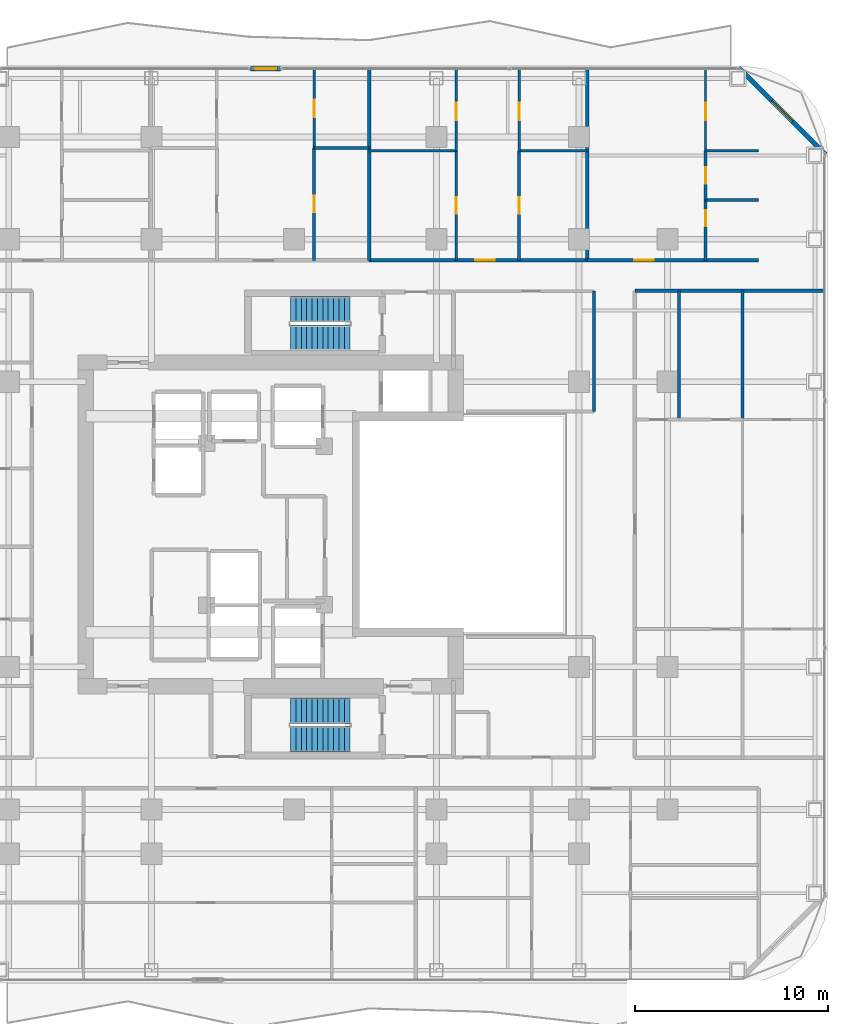
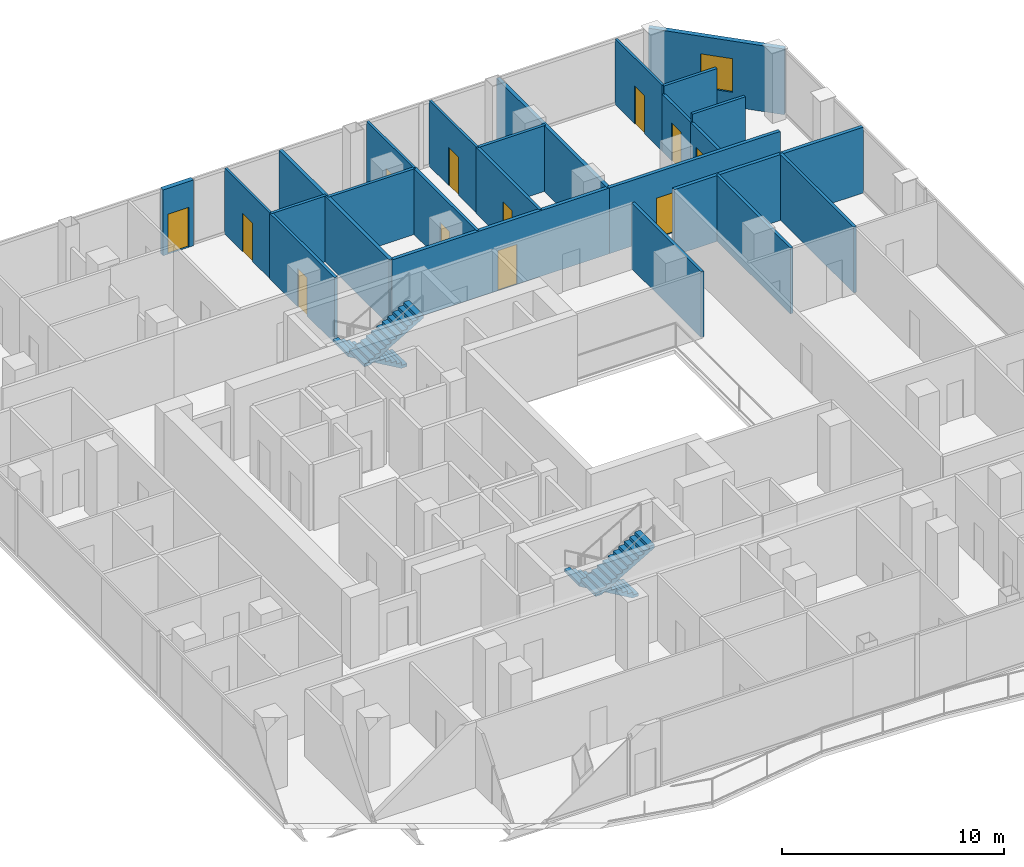
# One storey, part 24 of 27: 24 walls, 12 doors, 4 stair flights, 1 window, 13 openings, 2 elements without a shape of their own.
"""IFC4 building model written with IfcOpenShell, lengths in metres."""

from ifc_helpers import new_model, si_unit, direction, frame, frame_2d, origin, place, context, subcontext, project, spatial, polyline, rectangle, outline, extrude, material, layer, layer_set, type_object, element, fill, aggregate, save


model = new_model("IFC4")

# Units and contexts
model_context = context("Model", 3, precision=1e-05, world=origin(), true_north=direction((0.0, 1.0)))
body_context = subcontext(model_context, "Body", "Model", "MODEL_VIEW")
ifc_project = project(units=[si_unit("LENGTHUNIT", "METRE"), si_unit("AREAUNIT", "SQUARE_METRE"), si_unit("VOLUMEUNIT", "CUBIC_METRE"), si_unit("PLANEANGLEUNIT", "RADIAN"), si_unit("MASSUNIT", "GRAM", prefix="KILO")], contexts=[model_context])

# Site, building, storey
site_placement = place(None, origin())
site = spatial("IfcSite", under=ifc_project, at=site_placement, CompositionType="ELEMENT")
building_placement = place(site_placement, origin())
building = spatial("IfcBuilding", under=site, at=building_placement, Name="Khorvyn Point Tower", CompositionType="ELEMENT")
storey_placement = place(building_placement, frame((0.0, 0.0, 164.10009765625)))
storey = spatial("IfcBuildingStorey", under=building, at=storey_placement, Name="L40", CompositionType="ELEMENT", Elevation=164.10009765625)

# Wall, opening, door
ifc_material_1 = material(Name="Double acoustic gypsum on twin steel stud", Category="steel")
ifc_layer_1 = layer(ifc_material_1, 0.179931640625)
ifc_layer_set_1 = layer_set([ifc_layer_1], Name="Acoustic Double-Stud Apartment Demising Wall 180")
wall_type_1 = type_object("IfcWallType", Name="Acoustic Double-Stud Apartment Demising Wall 180", PredefinedType="PARTITIONING", material=ifc_layer_set_1)
wall_1_placement = place(storey_placement, frame((3.89990234375, 13.699951171875, 0.0), z_axis=(0.0, 0.0, 1.0), x_axis=(1.0, 0.0, 0.0)))
wall_1 = element("IfcWall", 1, at=wall_1_placement, inside=storey, type_object=wall_type_1, Name="Wall", PredefinedType="PARTITIONING", context=body_context, shape_type="SweptSolid", body=[
    extrude(rectangle(XDim=11.322998046875, YDim=0.179931640625, at=frame_2d((5.66162109375, 0.0))), origin(), (0.0, 0.0, 1.0), 3.619873046875),
])
opening_1_placement = place(wall_1_placement, frame((5.518798828125, 0.0, 0.0)))
opening_1 = element("IfcOpeningElement", 2, at=opening_1_placement, cuts=wall_1, Name="Opening ID-AP60", PredefinedType="OPENING", context=body_context, shape_type="SweptSolid", body=[
    extrude(rectangle(XDim=1.0, YDim=2.199951171875, at=frame_2d((0.5, 1.10009765625))), frame((0.0, 0.099853515625, 0.0), z_axis=(0.0, -1.0, 0.0), x_axis=(1.0, 0.0, 0.0)), (0.0, 0.0, 1.0), 0.199951171875),
])
ifc_material_2 = material(Name="Engineered hardwood fire-rated leaf", Category="wood")
door_type_1 = type_object("IfcDoorType", Name="Acoustic Solid-Core Timber Apartment Entrance Door 1000x2200", OperationType="NOTDEFINED", PredefinedType="DOOR", material=ifc_material_2)
door_1_placement = place(opening_1_placement, origin())
door_1 = element("IfcDoor", 3, at=door_1_placement, inside=storey, type_object=door_type_1, Name="Door", OperationType="SINGLE_SWING_RIGHT", OverallHeight=2.199951171875, OverallWidth=1.0, PredefinedType="DOOR", context=body_context, shape_type="SweptSolid", body=[
    extrude(rectangle(XDim=1.0, YDim=2.199951171875, at=frame_2d((0.5, 1.10009765625))), frame((0.0, 0.02490234375, 0.0), z_axis=(0.0, -1.0, 0.0), x_axis=(1.0, 0.0, 0.0)), (0.0, 0.0, 1.0), 0.050048828125),
])
fill(opening_1, door_1)

wall_2_placement = place(storey_placement, frame((15.222900390625, 13.699951171875, 0.0), z_axis=(0.0, 0.0, 1.0), x_axis=(1.0, 0.0, 0.0)))
wall_2 = element("IfcWall", 4, at=wall_2_placement, inside=storey, type_object=wall_type_1, Name="Wall", PredefinedType="PARTITIONING", context=body_context, shape_type="SweptSolid", body=[
    extrude(rectangle(XDim=8.897216796875, YDim=0.179931640625, at=frame_2d((4.44873046875, 0.0))), origin(), (0.0, 0.0, 1.0), 3.619873046875),
])
opening_2_placement = place(wall_2_placement, frame((2.45068359375, 0.0, 0.0)))
opening_2 = element("IfcOpeningElement", 5, at=opening_2_placement, cuts=wall_2, Name="Opening ID-AP60", PredefinedType="OPENING", context=body_context, shape_type="SweptSolid", body=[
    extrude(rectangle(XDim=1.0, YDim=2.199951171875, at=frame_2d((0.5, 1.10009765625))), frame((0.0, 0.099853515625, 0.0), z_axis=(0.0, -1.0, 0.0), x_axis=(1.0, 0.0, 0.0)), (0.0, 0.0, 1.0), 0.199951171875),
])
door_2_placement = place(opening_2_placement, origin())
door_2 = element("IfcDoor", 6, at=door_2_placement, inside=storey, type_object=door_type_1, Name="Door", OperationType="SINGLE_SWING_LEFT", OverallHeight=2.199951171875, OverallWidth=1.0, PredefinedType="DOOR", context=body_context, shape_type="SweptSolid", body=[
    extrude(rectangle(XDim=1.0, YDim=2.199951171875, at=frame_2d((0.5, 1.10009765625))), frame((0.0, 0.02490234375, 0.0), z_axis=(0.0, -1.0, 0.0), x_axis=(1.0, 0.0, 0.0)), (0.0, 0.0, 1.0), 0.050048828125),
])
fill(opening_2, door_2)

# Walls
for number, where, z_axis, x_axis, name in (
    (7, (3.89990234375, 13.699951171875, 0.0), (0.0, 0.0, 1.0), (0.0, 1.0, 0.0), "Wall"),
    (8, (15.222900390625, 13.699951171875, 0.0), (0.0, 0.0, 1.0), (0.0, 1.0, 0.0), "Wall"),
):
    element("IfcWall", number, at=place(storey_placement, frame(where, z_axis=z_axis, x_axis=x_axis)), inside=storey, type_object=wall_type_1, Name=name, PredefinedType="PARTITIONING", context=body_context, shape_type="SweptSolid", body=[
        extrude(rectangle(XDim=9.929931640625, YDim=0.179931640625, at=frame_2d((4.96484375, 0.0))), origin(), (0.0, 0.0, 1.0), 3.619873046875),
    ])
wall_3_placement = place(storey_placement, frame((17.699951171875, 12.1201171875, 0.0), z_axis=(0.0, 0.0, 1.0), x_axis=(1.0, 0.0, 0.0)))
element("IfcWall", 9, at=wall_3_placement, inside=storey, type_object=wall_type_1, Name="Wall", PredefinedType="PARTITIONING", context=body_context, shape_type="SweptSolid", body=[
    extrude(rectangle(XDim=9.830078125, YDim=0.179931640625, at=frame_2d((4.9150390625, 0.0))), origin(), (0.0, 0.0, 1.0), 3.619873046875),
])

# Wall, opening, door
ifc_material_3 = material(Name="Pale anodised aluminium rainscreen on steel stud", Category="steel")
ifc_layer_2 = layer(ifc_material_3, 0.239990234375)
ifc_layer_set_2 = layer_set([ifc_layer_2], Name="Anodised Aluminium Insulated Corner Spandrel Wall 240")
wall_type_2 = type_object("IfcWallType", Name="Anodised Aluminium Insulated Corner Spandrel Wall 240", PredefinedType="SOLIDWALL", material=ifc_layer_set_2)
wall_4_placement = place(storey_placement, frame((-2.26611328125, 23.64990234375, 0.0), z_axis=(0.0, 0.0, 1.0), x_axis=(1.0, 0.0, 0.0)))
wall_4 = element("IfcWall", 10, at=wall_4_placement, inside=storey, type_object=wall_type_2, Name="L40 North Outdoor Threshold Wall", PredefinedType="SOLIDWALL", context=body_context, shape_type="SweptSolid", body=[
    extrude(rectangle(XDim=1.580078125, YDim=0.239990234375, at=frame_2d((0.7900390625, 0.0))), origin(), (0.0, 0.0, 1.0), 3.619873046875),
])
opening_3_placement = place(wall_4_placement, frame((0.239990234375, 0.0, 0.0)))
opening_3 = element("IfcOpeningElement", 11, at=opening_3_placement, cuts=wall_4, Name="Opening BD-1122", PredefinedType="OPENING", context=body_context, shape_type="SweptSolid", body=[
    extrude(rectangle(XDim=1.10009765625, YDim=2.199951171875, at=frame_2d((0.550048828125, 1.10009765625))), frame((0.0, 0.1298828125, 0.0), z_axis=(0.0, -1.0, 0.0), x_axis=(1.0, 0.0, 0.0)), (0.0, 0.0, 1.0), 0.260009765625),
])
ifc_material_4 = material(Name="Anodised aluminium 6063-T6 and laminated Low-E glass", Category="aluminium")
door_type_2 = type_object("IfcDoorType", Name="Glazed Balcony and Terrace Threshold Door 1100x2200", OperationType="NOTDEFINED", PredefinedType="DOOR", material=ifc_material_4)
door_3_placement = place(opening_3_placement, origin())
door_3 = element("IfcDoor", 12, at=door_3_placement, inside=storey, type_object=door_type_2, Name="L40 North Glazed Balcony Outdoor Door", OperationType="SINGLE_SWING_LEFT", OverallHeight=2.199951171875, OverallWidth=1.10009765625, PredefinedType="DOOR", context=body_context, shape_type="SweptSolid", body=[
    extrude(rectangle(XDim=1.10009765625, YDim=2.199951171875, at=frame_2d((0.550048828125, 1.10009765625))), frame((0.0, 0.02490234375, 0.0), z_axis=(0.0, -1.0, 0.0), x_axis=(1.0, 0.0, 0.0)), (0.0, 0.0, 1.0), 0.050048828125),
])
fill(opening_3, door_3)

# Wall, opening, window
wall_5_placement = place(storey_placement, frame((23.107666015625, 23.6923828125, 0.0), z_axis=(0.0, 0.0, 1.0), x_axis=(0.707087534163, -0.707126027686, 0.0)))
wall_5 = element("IfcWall", 13, at=wall_5_placement, inside=storey, type_object=wall_type_2, Name="L40 Rounded Corner Wall NE", PredefinedType="SOLIDWALL", context=body_context, shape_type="SweptSolid", body=[
    extrude(rectangle(XDim=6.34228515625, YDim=0.239990234375, at=frame_2d((3.171142578125, 0.0))), origin(), (0.0, 0.0, 1.0), 3.619873046875),
])
opening_4_placement = place(wall_5_placement, frame((2.42138671875, 0.0, 0.800048828125)))
opening_4 = element("IfcOpeningElement", 14, at=opening_4_placement, cuts=wall_5, Name="Opening WN-1518", PredefinedType="OPENING", context=body_context, shape_type="SweptSolid", body=[
    extrude(rectangle(XDim=1.5, YDim=1.85009765625, at=frame_2d((0.75, 0.925048828125))), frame((0.0, 0.1298828125, 0.0), z_axis=(0.0, -1.0, 0.0), x_axis=(1.0, 0.0, 0.0)), (0.0, 0.0, 1.0), 0.260009765625),
])
window_type = type_object("IfcWindowType", Name="Anodised Aluminium Rounded-Corner Panoramic Window 1500x1850", PartitioningType="SINGLE_PANEL", PredefinedType="WINDOW", material=ifc_material_4)
window_placement = place(opening_4_placement, origin())
window = element("IfcWindow", 15, at=window_placement, inside=storey, type_object=window_type, Name="L40 Corner Panoramic Window NE", OverallHeight=1.85009765625, OverallWidth=1.5, PartitioningType="SINGLE_PANEL", PredefinedType="WINDOW", context=body_context, shape_type="SweptSolid", body=[
    extrude(rectangle(XDim=1.5, YDim=1.85009765625, at=frame_2d((0.75, 0.925048828125))), frame((0.0, 0.030029296875, 0.0), z_axis=(0.0, -1.0, 0.0), x_axis=(1.0, 0.0, 0.0)), (0.0, 0.0, 1.0), 0.06005859375),
])
fill(opening_4, window)

# Wall, opening, door
ifc_material_5 = material(Name="Gypsum plasterboard on steel stud", Category="steel")
ifc_layer_3 = layer(ifc_material_5, 0.1201171875)
ifc_layer_set_3 = layer_set([ifc_layer_3], Name="Gypsum Acoustic Stud Room Partition Wall 120")
wall_type_3 = type_object("IfcWallType", Name="Gypsum Acoustic Stud Room Partition Wall 120", PredefinedType="PARTITIONING", material=ifc_layer_set_3)
wall_6_placement = place(storey_placement, frame((1.050048828125, 19.544921875, 0.0), z_axis=(0.0, 0.0, 1.0), x_axis=(0.0, 1.0, 0.0)))
wall_6 = element("IfcWall", 16, at=wall_6_placement, inside=storey, type_object=wall_type_3, Name="Wall", PredefinedType="PARTITIONING", context=body_context, shape_type="SweptSolid", body=[
    extrude(rectangle(XDim=4.0849609375, YDim=0.1201171875, at=frame_2d((2.04248046875, 0.0))), origin(), (0.0, 0.0, 1.0), 3.619873046875),
])
opening_5_placement = place(wall_6_placement, frame((1.592529296875, 0.0, 0.0)))
opening_5 = element("IfcOpeningElement", 17, at=opening_5_placement, cuts=wall_6, Name="Opening ID-RM90", PredefinedType="OPENING", context=body_context, shape_type="SweptSolid", body=[
    extrude(rectangle(XDim=0.89990234375, YDim=2.10009765625, at=frame_2d((0.449951171875, 1.050048828125))), frame((0.0, 0.070068359375, 0.0), z_axis=(0.0, -1.0, 0.0), x_axis=(1.0, 0.0, 0.0)), (0.0, 0.0, 1.0), 0.14013671875),
])
ifc_material_6 = material(Name="Engineered oak veneer timber", Category="wood")
door_type_3 = type_object("IfcDoorType", Name="Flush Engineered Timber Room Door 900x2100", OperationType="NOTDEFINED", PredefinedType="DOOR", material=ifc_material_6)
door_4_placement = place(opening_5_placement, origin())
door_4 = element("IfcDoor", 18, at=door_4_placement, inside=storey, type_object=door_type_3, Name="Door", OperationType="SINGLE_SWING_LEFT", OverallHeight=2.10009765625, OverallWidth=0.89990234375, PredefinedType="DOOR", context=body_context, shape_type="SweptSolid", body=[
    extrude(rectangle(XDim=0.89990234375, YDim=2.10009765625, at=frame_2d((0.449951171875, 1.050048828125))), frame((0.0, 0.02490234375, 0.0), z_axis=(0.0, -1.0, 0.0), x_axis=(1.0, 0.0, 0.0)), (0.0, 0.0, 1.0), 0.050048828125),
])
fill(opening_5, door_4)

wall_7_placement = place(storey_placement, frame((8.428955078125, 19.389892578125, 0.0), z_axis=(0.0, 0.0, 1.0), x_axis=(0.0, 1.0, 0.0)))
wall_7 = element("IfcWall", 19, at=wall_7_placement, inside=storey, type_object=wall_type_3, Name="Wall", PredefinedType="PARTITIONING", context=body_context, shape_type="SweptSolid", body=[
    extrude(rectangle(XDim=4.239990234375, YDim=0.1201171875, at=frame_2d((2.1201171875, 0.0))), origin(), (0.0, 0.0, 1.0), 3.619873046875),
])
opening_6_placement = place(wall_7_placement, frame((1.581298828125, 0.0, 0.0)))
opening_6 = element("IfcOpeningElement", 20, at=opening_6_placement, cuts=wall_7, Name="Opening ID-RM90", PredefinedType="OPENING", context=body_context, shape_type="SweptSolid", body=[
    extrude(rectangle(XDim=0.89990234375, YDim=2.10009765625, at=frame_2d((0.449951171875, 1.050048828125))), frame((0.0, 0.070068359375, 0.0), z_axis=(0.0, -1.0, 0.0), x_axis=(1.0, 0.0, 0.0)), (0.0, 0.0, 1.0), 0.14013671875),
])
door_5_placement = place(opening_6_placement, origin())
door_5 = element("IfcDoor", 21, at=door_5_placement, inside=storey, type_object=door_type_3, Name="Door", OperationType="SINGLE_SWING_RIGHT", OverallHeight=2.10009765625, OverallWidth=0.89990234375, PredefinedType="DOOR", context=body_context, shape_type="SweptSolid", body=[
    extrude(rectangle(XDim=0.89990234375, YDim=2.10009765625, at=frame_2d((0.449951171875, 1.050048828125))), frame((0.0, 0.02490234375, 0.0), z_axis=(0.0, -1.0, 0.0), x_axis=(1.0, 0.0, 0.0)), (0.0, 0.0, 1.0), 0.050048828125),
])
fill(opening_6, door_5)

wall_8_placement = place(storey_placement, frame((11.68994140625, 19.389892578125, 0.0), z_axis=(0.0, 0.0, 1.0), x_axis=(0.0, 1.0, 0.0)))
wall_8 = element("IfcWall", 22, at=wall_8_placement, inside=storey, type_object=wall_type_3, Name="Wall", PredefinedType="PARTITIONING", context=body_context, shape_type="SweptSolid", body=[
    extrude(rectangle(XDim=4.239990234375, YDim=0.1201171875, at=frame_2d((2.1201171875, 0.0))), origin(), (0.0, 0.0, 1.0), 3.619873046875),
])
opening_7_placement = place(wall_8_placement, frame((1.581298828125, 0.0, 0.0)))
opening_7 = element("IfcOpeningElement", 23, at=opening_7_placement, cuts=wall_8, Name="Opening ID-RM90", PredefinedType="OPENING", context=body_context, shape_type="SweptSolid", body=[
    extrude(rectangle(XDim=0.89990234375, YDim=2.10009765625, at=frame_2d((0.449951171875, 1.050048828125))), frame((0.0, 0.070068359375, 0.0), z_axis=(0.0, -1.0, 0.0), x_axis=(1.0, 0.0, 0.0)), (0.0, 0.0, 1.0), 0.14013671875),
])
door_6_placement = place(opening_7_placement, origin())
door_6 = element("IfcDoor", 24, at=door_6_placement, inside=storey, type_object=door_type_3, Name="Door", OperationType="SINGLE_SWING_RIGHT", OverallHeight=2.10009765625, OverallWidth=0.89990234375, PredefinedType="DOOR", context=body_context, shape_type="SweptSolid", body=[
    extrude(rectangle(XDim=0.89990234375, YDim=2.10009765625, at=frame_2d((0.449951171875, 1.050048828125))), frame((0.0, 0.02490234375, 0.0), z_axis=(0.0, -1.0, 0.0), x_axis=(1.0, 0.0, 0.0)), (0.0, 0.0, 1.0), 0.050048828125),
])
fill(opening_7, door_6)

wall_9_placement = place(storey_placement, frame((21.3701171875, 19.389892578125, 0.0), z_axis=(0.0, 0.0, 1.0), x_axis=(0.0, 1.0, 0.0)))
wall_9 = element("IfcWall", 25, at=wall_9_placement, inside=storey, type_object=wall_type_3, Name="Wall", PredefinedType="PARTITIONING", context=body_context, shape_type="SweptSolid", body=[
    extrude(rectangle(XDim=4.239990234375, YDim=0.1201171875, at=frame_2d((2.1201171875, 0.0))), origin(), (0.0, 0.0, 1.0), 3.619873046875),
])
opening_8_placement = place(wall_9_placement, frame((1.581298828125, 0.0, 0.0)))
opening_8 = element("IfcOpeningElement", 26, at=opening_8_placement, cuts=wall_9, Name="Opening ID-RM90", PredefinedType="OPENING", context=body_context, shape_type="SweptSolid", body=[
    extrude(rectangle(XDim=0.89990234375, YDim=2.10009765625, at=frame_2d((0.449951171875, 1.050048828125))), frame((0.0, 0.070068359375, 0.0), z_axis=(0.0, -1.0, 0.0), x_axis=(1.0, 0.0, 0.0)), (0.0, 0.0, 1.0), 0.14013671875),
])
door_7_placement = place(opening_8_placement, origin())
door_7 = element("IfcDoor", 27, at=door_7_placement, inside=storey, type_object=door_type_3, Name="Door", OperationType="SINGLE_SWING_RIGHT", OverallHeight=2.10009765625, OverallWidth=0.89990234375, PredefinedType="DOOR", context=body_context, shape_type="SweptSolid", body=[
    extrude(rectangle(XDim=0.89990234375, YDim=2.10009765625, at=frame_2d((0.449951171875, 1.050048828125))), frame((0.0, 0.02490234375, 0.0), z_axis=(0.0, -1.0, 0.0), x_axis=(1.0, 0.0, 0.0)), (0.0, 0.0, 1.0), 0.050048828125),
])
fill(opening_8, door_7)

ifc_material_7 = material(Name="Moisture-resistant gypsum and cement board", Category="gypsum")
ifc_layer_4 = layer(ifc_material_7, 0.14990234375)
ifc_layer_set_4 = layer_set([ifc_layer_4], Name="Moisture-Resistant Wet-Room Partition Wall 150")
wall_type_4 = type_object("IfcWallType", Name="Moisture-Resistant Wet-Room Partition Wall 150", PredefinedType="PARTITIONING", material=ifc_layer_set_4)
wall_10_placement = place(storey_placement, frame((1.050048828125, 13.699951171875, 0.0), z_axis=(0.0, 0.0, 1.0), x_axis=(0.0, 1.0, 0.0)))
wall_10 = element("IfcWall", 28, at=wall_10_placement, inside=storey, type_object=wall_type_4, Name="Wall", PredefinedType="PARTITIONING", context=body_context, shape_type="SweptSolid", body=[
    extrude(rectangle(XDim=5.844970703125, YDim=0.14990234375, at=frame_2d((2.92236328125, 0.0))), origin(), (0.0, 0.0, 1.0), 3.619873046875),
])
opening_9_placement = place(wall_10_placement, frame((2.49755859375, 0.0, 0.0)))
opening_9 = element("IfcOpeningElement", 29, at=opening_9_placement, cuts=wall_10, Name="Opening ID-WC85", PredefinedType="OPENING", context=body_context, shape_type="SweptSolid", body=[
    extrude(rectangle(XDim=0.85009765625, YDim=2.10009765625, at=frame_2d((0.425048828125, 1.050048828125))), frame((0.0, 0.0849609375, 0.0), z_axis=(0.0, -1.0, 0.0), x_axis=(1.0, 0.0, 0.0)), (0.0, 0.0, 1.0), 0.169921875),
])
ifc_material_8 = material(Name="High-pressure laminate on moisture-resistant core", Category="wood")
door_type_4 = type_object("IfcDoorType", Name="Moisture-Resistant Accessible Washroom Door 850x2100", OperationType="NOTDEFINED", PredefinedType="DOOR", material=ifc_material_8)
door_8_placement = place(opening_9_placement, origin())
door_8 = element("IfcDoor", 30, at=door_8_placement, inside=storey, type_object=door_type_4, Name="Door", OperationType="SINGLE_SWING_RIGHT", OverallHeight=2.10009765625, OverallWidth=0.85009765625, PredefinedType="DOOR", context=body_context, shape_type="SweptSolid", body=[
    extrude(rectangle(XDim=0.85009765625, YDim=2.10009765625, at=frame_2d((0.425048828125, 1.050048828125))), frame((0.0, 0.02490234375, 0.0), z_axis=(0.0, -1.0, 0.0), x_axis=(1.0, 0.0, 0.0)), (0.0, 0.0, 1.0), 0.050048828125),
])
fill(opening_9, door_8)

wall_11_placement = place(storey_placement, frame((8.428955078125, 13.699951171875, 0.0), z_axis=(0.0, 0.0, 1.0), x_axis=(0.0, 1.0, 0.0)))
wall_11 = element("IfcWall", 31, at=wall_11_placement, inside=storey, type_object=wall_type_4, Name="Wall", PredefinedType="PARTITIONING", context=body_context, shape_type="SweptSolid", body=[
    extrude(rectangle(XDim=5.68994140625, YDim=0.14990234375, at=frame_2d((2.844970703125, 0.0))), origin(), (0.0, 0.0, 1.0), 3.619873046875),
])
opening_10_placement = place(wall_11_placement, frame((2.419921875, 0.0, 0.0)))
opening_10 = element("IfcOpeningElement", 32, at=opening_10_placement, cuts=wall_11, Name="Opening ID-WC85", PredefinedType="OPENING", context=body_context, shape_type="SweptSolid", body=[
    extrude(rectangle(XDim=0.85009765625, YDim=2.10009765625, at=frame_2d((0.425048828125, 1.050048828125))), frame((0.0, 0.0849609375, 0.0), z_axis=(0.0, -1.0, 0.0), x_axis=(1.0, 0.0, 0.0)), (0.0, 0.0, 1.0), 0.169921875),
])
door_9_placement = place(opening_10_placement, origin())
door_9 = element("IfcDoor", 33, at=door_9_placement, inside=storey, type_object=door_type_4, Name="Door", OperationType="SINGLE_SWING_LEFT", OverallHeight=2.10009765625, OverallWidth=0.85009765625, PredefinedType="DOOR", context=body_context, shape_type="SweptSolid", body=[
    extrude(rectangle(XDim=0.85009765625, YDim=2.10009765625, at=frame_2d((0.425048828125, 1.050048828125))), frame((0.0, 0.02490234375, 0.0), z_axis=(0.0, -1.0, 0.0), x_axis=(1.0, 0.0, 0.0)), (0.0, 0.0, 1.0), 0.050048828125),
])
fill(opening_10, door_9)

wall_12_placement = place(storey_placement, frame((11.68994140625, 13.699951171875, 0.0), z_axis=(0.0, 0.0, 1.0), x_axis=(0.0, 1.0, 0.0)))
wall_12 = element("IfcWall", 34, at=wall_12_placement, inside=storey, type_object=wall_type_4, Name="Wall", PredefinedType="PARTITIONING", context=body_context, shape_type="SweptSolid", body=[
    extrude(rectangle(XDim=5.68994140625, YDim=0.14990234375, at=frame_2d((2.844970703125, 0.0))), origin(), (0.0, 0.0, 1.0), 3.619873046875),
])
opening_11_placement = place(wall_12_placement, frame((2.419921875, 0.0, 0.0)))
opening_11 = element("IfcOpeningElement", 35, at=opening_11_placement, cuts=wall_12, Name="Opening ID-WC85", PredefinedType="OPENING", context=body_context, shape_type="SweptSolid", body=[
    extrude(rectangle(XDim=0.85009765625, YDim=2.10009765625, at=frame_2d((0.425048828125, 1.050048828125))), frame((0.0, 0.0849609375, 0.0), z_axis=(0.0, -1.0, 0.0), x_axis=(1.0, 0.0, 0.0)), (0.0, 0.0, 1.0), 0.169921875),
])
door_10_placement = place(opening_11_placement, origin())
door_10 = element("IfcDoor", 36, at=door_10_placement, inside=storey, type_object=door_type_4, Name="Door", OperationType="SINGLE_SWING_LEFT", OverallHeight=2.10009765625, OverallWidth=0.85009765625, PredefinedType="DOOR", context=body_context, shape_type="SweptSolid", body=[
    extrude(rectangle(XDim=0.85009765625, YDim=2.10009765625, at=frame_2d((0.425048828125, 1.050048828125))), frame((0.0, 0.02490234375, 0.0), z_axis=(0.0, -1.0, 0.0), x_axis=(1.0, 0.0, 0.0)), (0.0, 0.0, 1.0), 0.050048828125),
])
fill(opening_11, door_10)

wall_13_placement = place(storey_placement, frame((21.3701171875, 13.699951171875, 0.0), z_axis=(0.0, 0.0, 1.0), x_axis=(0.0, 1.0, 0.0)))
wall_13 = element("IfcWall", 37, at=wall_13_placement, inside=storey, type_object=wall_type_4, Name="Wall", PredefinedType="PARTITIONING", context=body_context, shape_type="SweptSolid", body=[
    extrude(rectangle(XDim=3.129150390625, YDim=0.14990234375, at=frame_2d((1.564453125, 0.0))), origin(), (0.0, 0.0, 1.0), 3.159912109375),
])
opening_12_placement = place(wall_13_placement, frame((1.7626953125, 0.0, 0.0)))
opening_12 = element("IfcOpeningElement", 38, at=opening_12_placement, cuts=wall_13, Name="Opening ID-WC85", PredefinedType="OPENING", context=body_context, shape_type="SweptSolid", body=[
    extrude(rectangle(XDim=0.85009765625, YDim=2.10009765625, at=frame_2d((0.425048828125, 1.050048828125))), frame((0.0, 0.0849609375, 0.0), z_axis=(0.0, -1.0, 0.0), x_axis=(1.0, 0.0, 0.0)), (0.0, 0.0, 1.0), 0.169921875),
])
door_11_placement = place(opening_12_placement, origin())
door_11 = element("IfcDoor", 39, at=door_11_placement, inside=storey, type_object=door_type_4, Name="Door", OperationType="SINGLE_SWING_RIGHT", OverallHeight=2.10009765625, OverallWidth=0.85009765625, PredefinedType="DOOR", context=body_context, shape_type="SweptSolid", body=[
    extrude(rectangle(XDim=0.85009765625, YDim=2.10009765625, at=frame_2d((0.425048828125, 1.050048828125))), frame((0.0, 0.02490234375, 0.0), z_axis=(0.0, -1.0, 0.0), x_axis=(1.0, 0.0, 0.0)), (0.0, 0.0, 1.0), 0.050048828125),
])
fill(opening_12, door_11)

wall_14_placement = place(storey_placement, frame((21.3701171875, 16.8291015625, 0.0), z_axis=(0.0, 0.0, 1.0), x_axis=(0.0, 1.0, 0.0)))
wall_14 = element("IfcWall", 40, at=wall_14_placement, inside=storey, type_object=wall_type_4, Name="Wall", PredefinedType="PARTITIONING", context=body_context, shape_type="SweptSolid", body=[
    extrude(rectangle(XDim=2.560791015625, YDim=0.14990234375, at=frame_2d((1.2802734375, 0.0))), origin(), (0.0, 0.0, 1.0), 3.159912109375),
])
opening_13_placement = place(wall_14_placement, frame((0.85546875, 0.0, 0.0)))
opening_13 = element("IfcOpeningElement", 41, at=opening_13_placement, cuts=wall_14, Name="Opening ID-WC85", PredefinedType="OPENING", context=body_context, shape_type="SweptSolid", body=[
    extrude(rectangle(XDim=0.85009765625, YDim=2.10009765625, at=frame_2d((0.425048828125, 1.050048828125))), frame((0.0, 0.0849609375, 0.0), z_axis=(0.0, -1.0, 0.0), x_axis=(1.0, 0.0, 0.0)), (0.0, 0.0, 1.0), 0.169921875),
])
door_12_placement = place(opening_13_placement, origin())
door_12 = element("IfcDoor", 42, at=door_12_placement, inside=storey, type_object=door_type_4, Name="Door", OperationType="SINGLE_SWING_LEFT", OverallHeight=2.10009765625, OverallWidth=0.85009765625, PredefinedType="DOOR", context=body_context, shape_type="SweptSolid", body=[
    extrude(rectangle(XDim=0.85009765625, YDim=2.10009765625, at=frame_2d((0.425048828125, 1.050048828125))), frame((0.0, 0.02490234375, 0.0), z_axis=(0.0, -1.0, 0.0), x_axis=(1.0, 0.0, 0.0)), (0.0, 0.0, 1.0), 0.050048828125),
])
fill(opening_13, door_12)

# Walls
wall_15_placement = place(storey_placement, frame((15.580078125, 5.85009765625, 0.0), z_axis=(0.0, 0.0, 1.0), x_axis=(0.0, 1.0, 0.0)))
element("IfcWall", 43, at=wall_15_placement, inside=storey, type_object=wall_type_4, Name="Wall", PredefinedType="PARTITIONING", context=body_context, shape_type="SweptSolid", body=[
    extrude(rectangle(XDim=6.25, YDim=0.14990234375, at=frame_2d((3.125, 0.0))), origin(), (0.0, 0.0, 1.0), 3.619873046875),
])
wall_16_placement = place(storey_placement, frame((1.050048828125, 19.544921875, 0.0), z_axis=(0.0, 0.0, 1.0), x_axis=(1.0, 0.0, 0.0)))
element("IfcWall", 44, at=wall_16_placement, inside=storey, type_object=wall_type_4, Name="Wall", PredefinedType="PARTITIONING", context=body_context, shape_type="SweptSolid", body=[
    extrude(rectangle(XDim=2.849853515625, YDim=0.14990234375, at=frame_2d((1.4248046875, 0.0))), origin(), (0.0, 0.0, 1.0), 3.619873046875),
])
wall_17_placement = place(storey_placement, frame((3.89990234375, 19.389892578125, 0.0), z_axis=(0.0, 0.0, 1.0), x_axis=(1.0, 0.0, 0.0)))
element("IfcWall", 45, at=wall_17_placement, inside=storey, type_object=wall_type_4, Name="Wall", PredefinedType="PARTITIONING", context=body_context, shape_type="SweptSolid", body=[
    extrude(rectangle(XDim=4.529052734375, YDim=0.14990234375, at=frame_2d((2.2646484375, 0.0))), origin(), (0.0, 0.0, 1.0), 3.619873046875),
])
wall_18_placement = place(storey_placement, frame((11.68994140625, 19.389892578125, 0.0), z_axis=(0.0, 0.0, 1.0), x_axis=(1.0, 0.0, 0.0)))
element("IfcWall", 46, at=wall_18_placement, inside=storey, type_object=wall_type_4, Name="Wall", PredefinedType="PARTITIONING", context=body_context, shape_type="SweptSolid", body=[
    extrude(rectangle(XDim=3.532958984375, YDim=0.14990234375, at=frame_2d((1.7666015625, 0.0))), origin(), (0.0, 0.0, 1.0), 3.619873046875),
])
for number, where, z_axis, x_axis, name in (
    (47, (21.3701171875, 16.8291015625, 0.0), (0.0, 0.0, 1.0), (1.0, 0.0, 0.0), "Wall"),
    (48, (21.3701171875, 19.389892578125, 0.0), (0.0, 0.0, 1.0), (1.0, 0.0, 0.0), "Wall"),
):
    element("IfcWall", number, at=place(storey_placement, frame(where, z_axis=z_axis, x_axis=x_axis)), inside=storey, type_object=wall_type_4, Name=name, PredefinedType="PARTITIONING", context=body_context, shape_type="SweptSolid", body=[
        extrude(rectangle(XDim=2.75, YDim=0.14990234375, at=frame_2d((1.375, 0.0))), origin(), (0.0, 0.0, 1.0), 3.619873046875),
    ])
for number, where, z_axis, x_axis, name in (
    (49, (19.991943359375, 5.43603515625, 0.0), (0.0, 0.0, 1.0), (0.0, 1.0, 0.0), "Wall"),
    (50, (23.2900390625, 5.43603515625, 0.0), (0.0, 0.0, 1.0), (0.0, 1.0, 0.0), "Wall"),
):
    element("IfcWall", number, at=place(storey_placement, frame(where, z_axis=z_axis, x_axis=x_axis)), inside=storey, type_object=wall_type_4, Name=name, PredefinedType="PARTITIONING", context=body_context, shape_type="SweptSolid", body=[
        extrude(rectangle(XDim=6.68408203125, YDim=0.14990234375, at=frame_2d((3.342041015625, 0.0))), origin(), (0.0, 0.0, 1.0), 3.619873046875),
    ])

# Stair, stair flights
ifc_material_9 = material(Name="Concrete C40/50", Category="concrete")
stair_type = type_object("IfcStairType", Name="Tower Concrete C40/50 Dogleg Exit Stair", PredefinedType="HALF_TURN_STAIR", material=ifc_material_9)
stair_1_placement = place(storey_placement, origin())
stair_1 = element("IfcStair", 51, at=stair_1_placement, inside=storey, type_object=stair_type, Name="L40 Tower Smokeproof Exit Stair South", PredefinedType="HALF_TURN_STAIR")
stair_flight_type = type_object("IfcStairFlightType", Name="Tower Concrete C40/50 Stair Flight", PredefinedType="STRAIGHT", material=ifc_material_9)
stair_flight_1_placement = place(storey_placement, frame((2.89990234375, -9.679931640625, 0.0), z_axis=(0.0, 0.0, 1.0), x_axis=(-1.0, 0.0, 0.0)))
stair_flight_1 = element("IfcStairFlight", 52, at=stair_flight_1_placement, type_object=stair_flight_type, Name="ST-01 flight 1", NumberOfRisers=12, NumberOfTreads=11, PredefinedType="STRAIGHT", RiserHeight=0.1625, TreadLength=0.28, context=body_context, shape_type="SweptSolid", body=[
    extrude(outline(polyline([(0.0, 0.0), (0.0, 0.16259765625), (0.280029296875, 0.16259765625), (0.280029296875, 0.324951171875), (0.56005859375, 0.324951171875), (0.56005859375, 0.487548828125), (0.840087890625, 0.487548828125), (0.840087890625, 0.64990234375), (1.1201171875, 0.64990234375), (1.1201171875, 0.8125), (1.39990234375, 0.8125), (1.39990234375, 0.97509765625), (1.679931640625, 0.97509765625), (1.679931640625, 1.137451171875), (1.9599609375, 1.137451171875), (1.9599609375, 1.300048828125), (2.239990234375, 1.300048828125), (2.239990234375, 1.46240234375), (2.52001953125, 1.46240234375), (2.52001953125, 1.625), (2.800048828125, 1.625), (2.800048828125, 1.78759765625), (3.080078125, 1.78759765625), (3.080078125, 1.949951171875), (3.080078125, 1.6142578125), (0.298583984375, 0.0), (0.0, 0.0)])), frame((0.0, 0.66015625, 0.0), z_axis=(0.0, -1.0, 0.0), x_axis=(1.0, 0.0, 0.0)), (0.0, 0.0, 1.0), 1.320068359375),
])
stair_flight_2_placement = place(storey_placement, frame((-0.179931640625, -11.159912109375, 1.949951171875), z_axis=(0.0, 0.0, 1.0), x_axis=(1.0, 0.0, 0.0)))
stair_flight_2 = element("IfcStairFlight", 53, at=stair_flight_2_placement, type_object=stair_flight_type, Name="ST-01 flight 2", NumberOfRisers=12, NumberOfTreads=11, PredefinedType="STRAIGHT", RiserHeight=0.1625, TreadLength=0.28, context=body_context, shape_type="SweptSolid", body=[
    extrude(outline(polyline([(0.0, 0.0), (0.0, 0.16259765625), (0.280029296875, 0.16259765625), (0.280029296875, 0.324951171875), (0.56005859375, 0.324951171875), (0.56005859375, 0.487548828125), (0.840087890625, 0.487548828125), (0.840087890625, 0.64990234375), (1.1201171875, 0.64990234375), (1.1201171875, 0.8125), (1.39990234375, 0.8125), (1.39990234375, 0.97509765625), (1.679931640625, 0.97509765625), (1.679931640625, 1.137451171875), (1.9599609375, 1.137451171875), (1.9599609375, 1.300048828125), (2.239990234375, 1.300048828125), (2.239990234375, 1.46240234375), (2.52001953125, 1.46240234375), (2.52001953125, 1.625), (2.800048828125, 1.625), (2.800048828125, 1.78759765625), (3.080078125, 1.78759765625), (3.080078125, 1.949951171875), (3.080078125, 1.6142578125), (0.298583984375, 0.0), (0.0, 0.0)])), frame((0.0, 0.66015625, 0.0), z_axis=(0.0, -1.0, 0.0), x_axis=(1.0, 0.0, 0.0)), (0.0, 0.0, 1.0), 1.320068359375),
])
aggregate(stair_1, [stair_flight_1, stair_flight_2])

stair_2_placement = place(storey_placement, origin())
stair_2 = element("IfcStair", 54, at=stair_2_placement, inside=storey, type_object=stair_type, Name="L40 Tower Smokeproof Exit Stair North", PredefinedType="HALF_TURN_STAIR")
stair_flight_3_placement = place(storey_placement, frame((2.89990234375, 11.159912109375, 0.0), z_axis=(0.0, 0.0, 1.0), x_axis=(-1.0, 0.0, 0.0)))
stair_flight_3 = element("IfcStairFlight", 55, at=stair_flight_3_placement, type_object=stair_flight_type, Name="ST-02 flight 1", NumberOfRisers=12, NumberOfTreads=11, PredefinedType="STRAIGHT", RiserHeight=0.1625, TreadLength=0.28, context=body_context, shape_type="SweptSolid", body=[
    extrude(outline(polyline([(0.0, 0.0), (0.0, 0.16259765625), (0.280029296875, 0.16259765625), (0.280029296875, 0.324951171875), (0.56005859375, 0.324951171875), (0.56005859375, 0.487548828125), (0.840087890625, 0.487548828125), (0.840087890625, 0.64990234375), (1.1201171875, 0.64990234375), (1.1201171875, 0.8125), (1.39990234375, 0.8125), (1.39990234375, 0.97509765625), (1.679931640625, 0.97509765625), (1.679931640625, 1.137451171875), (1.9599609375, 1.137451171875), (1.9599609375, 1.300048828125), (2.239990234375, 1.300048828125), (2.239990234375, 1.46240234375), (2.52001953125, 1.46240234375), (2.52001953125, 1.625), (2.800048828125, 1.625), (2.800048828125, 1.78759765625), (3.080078125, 1.78759765625), (3.080078125, 1.949951171875), (3.080078125, 1.6142578125), (0.298583984375, 0.0), (0.0, 0.0)])), frame((0.0, 0.66015625, 0.0), z_axis=(0.0, -1.0, 0.0), x_axis=(1.0, 0.0, 0.0)), (0.0, 0.0, 1.0), 1.320068359375),
])
stair_flight_4_placement = place(storey_placement, frame((-0.179931640625, 9.679931640625, 1.949951171875), z_axis=(0.0, 0.0, 1.0), x_axis=(1.0, 0.0, 0.0)))
stair_flight_4 = element("IfcStairFlight", 56, at=stair_flight_4_placement, type_object=stair_flight_type, Name="ST-02 flight 2", NumberOfRisers=12, NumberOfTreads=11, PredefinedType="STRAIGHT", RiserHeight=0.1625, TreadLength=0.28, context=body_context, shape_type="SweptSolid", body=[
    extrude(outline(polyline([(0.0, 0.0), (0.0, 0.16259765625), (0.280029296875, 0.16259765625), (0.280029296875, 0.324951171875), (0.56005859375, 0.324951171875), (0.56005859375, 0.487548828125), (0.840087890625, 0.487548828125), (0.840087890625, 0.64990234375), (1.1201171875, 0.64990234375), (1.1201171875, 0.8125), (1.39990234375, 0.8125), (1.39990234375, 0.97509765625), (1.679931640625, 0.97509765625), (1.679931640625, 1.137451171875), (1.9599609375, 1.137451171875), (1.9599609375, 1.300048828125), (2.239990234375, 1.300048828125), (2.239990234375, 1.46240234375), (2.52001953125, 1.46240234375), (2.52001953125, 1.625), (2.800048828125, 1.625), (2.800048828125, 1.78759765625), (3.080078125, 1.78759765625), (3.080078125, 1.949951171875), (3.080078125, 1.6142578125), (0.298583984375, 0.0), (0.0, 0.0)])), frame((0.0, 0.66015625, 0.0), z_axis=(0.0, -1.0, 0.0), x_axis=(1.0, 0.0, 0.0)), (0.0, 0.0, 1.0), 1.320068359375),
])
aggregate(stair_2, [stair_flight_3, stair_flight_4])

save(model, "model.ifc")
